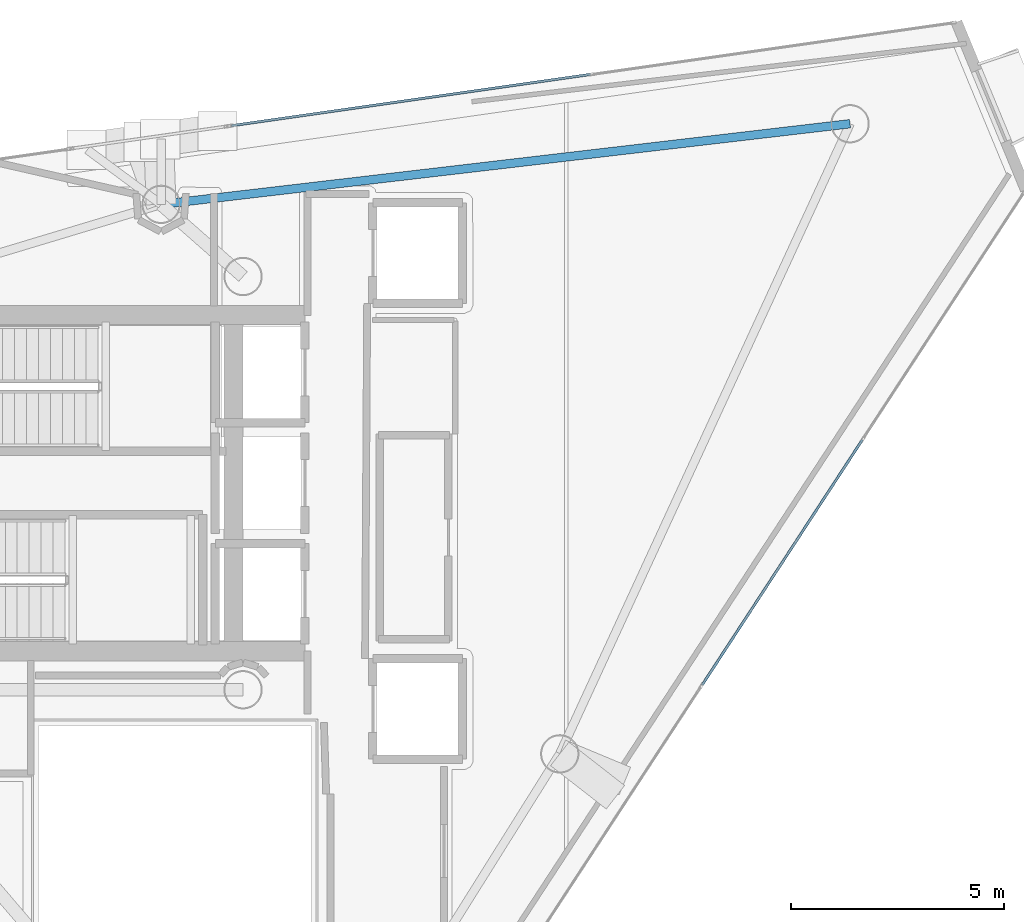
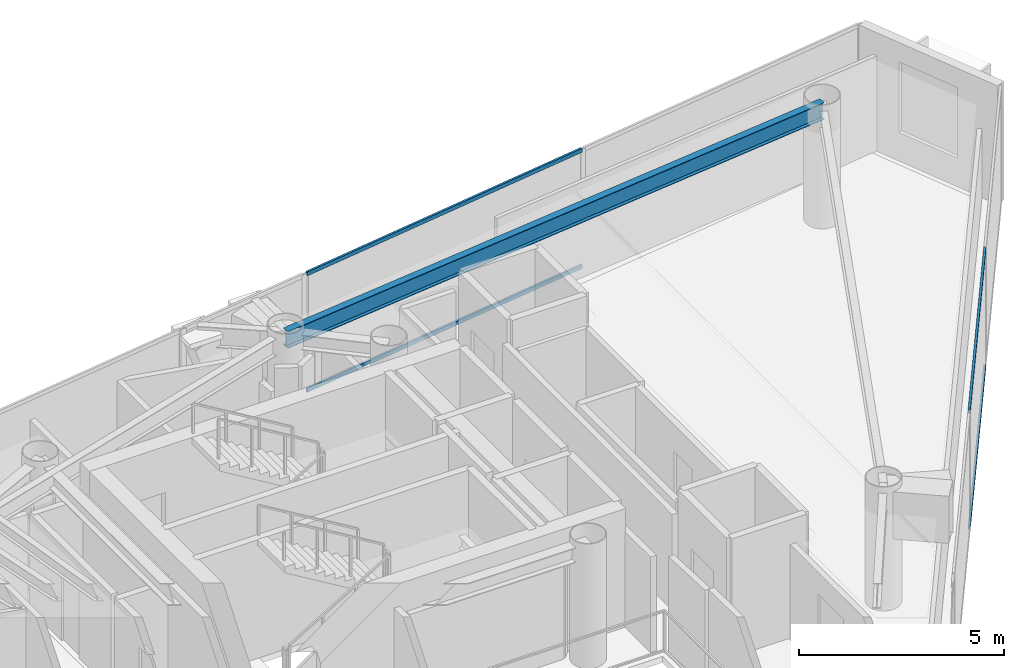
# One storey, part 17 of 25: 4 members, 1 beam, 2 elements without a shape of their own.
"""IFC4 building model written with IfcOpenShell, lengths in metres."""

from ifc_helpers import new_model, si_unit, direction, frame, origin, origin_2d, place, context, subcontext, project, spatial, hollow_rectangle, i_section, extrude, material, layer, layer_set, material_profile, profile_set, type_object, element, aggregate, save


model = new_model("IFC4")

# Units and contexts
model_context = context("Model", 3, precision=1e-05, world=origin(), true_north=direction((0.0, 1.0)))
body_context = subcontext(model_context, "Body", "Model", "MODEL_VIEW")
ifc_project = project(units=[si_unit("LENGTHUNIT", "METRE"), si_unit("AREAUNIT", "SQUARE_METRE"), si_unit("VOLUMEUNIT", "CUBIC_METRE"), si_unit("PLANEANGLEUNIT", "RADIAN"), si_unit("MASSUNIT", "GRAM", prefix="KILO")], contexts=[model_context])

# Site, building, storey
site_placement = place(None, origin())
site = spatial("IfcSite", under=ifc_project, at=site_placement, CompositionType="ELEMENT")
building_placement = place(site_placement, origin())
building = spatial("IfcBuilding", under=site, at=building_placement, Name="Qianvela Tower", CompositionType="ELEMENT")
storey_placement = place(building_placement, frame((0.0, 0.0, 295.39990234375)))
storey = spatial("IfcBuildingStorey", under=building, at=storey_placement, Name="L76", CompositionType="ELEMENT", Elevation=295.39990234375)

# Beam
ifc_material_1 = material(Name="Steel Q355B", Category="steel")
ifc_material_profile_1 = material_profile(ifc_material_1, i_section(OverallWidth=0.199951171875, OverallDepth=0.5, WebThickness=0.010009765625, FlangeThickness=0.01611328125, at=origin_2d()), Name="HN500x200x10x16")
ifc_profile_set_1 = profile_set([ifc_material_profile_1], Name="Steel Q355B")
beam_type = type_object("IfcBeamType", Name="BM-HN500-GIRD", PredefinedType="BEAM", material=ifc_profile_set_1)
beam_placement = place(storey_placement, frame((52.64794921875, 37.135009765625, 3.26806640625), z_axis=(-0.993225117092, -0.116206139153, 0.0), x_axis=(0.116206139153, -0.993225117092, 0.0)))
element("IfcBeam", 1, at=beam_placement, inside=storey, type_object=beam_type, Name="L76 Perimeter Ring Spandrel Girder 1", PredefinedType="BEAM", context=body_context, shape_type="SweptSolid", body=[
    extrude(i_section(OverallWidth=0.199951171875, OverallDepth=0.5, WebThickness=0.010009765625, FlangeThickness=0.01611328125, at=origin_2d()), origin(), (0.0, 0.0, 1.0), 16.2822265625),
])

# Curtain wall, members
ifc_material_2 = material(Name="Anodised Architectural Aluminium and Low-E Glass", Category="aluminium")
ifc_layer = layer(ifc_material_2, 0.14990234375)
ifc_layer_set = layer_set([ifc_layer], Name="Anodised Architectural Aluminium and Low-E Glass")
curtain_wall_type = type_object("IfcCurtainWallType", Name="CW-COLIV-Z78", PredefinedType="USERDEFINED", material=ifc_layer_set)
curtain_wall_1_placement = place(storey_placement, origin())
curtain_wall_1 = element("IfcCurtainWall", 2, at=curtain_wall_1_placement, inside=storey, type_object=curtain_wall_type, Name="L76 CW-COLIV-Z78 Curtain Wall 02A", ObjectType="CURTAIN_WALL_SYSTEM", PredefinedType="USERDEFINED")
ifc_material_3 = material(Name="Anodised Architectural Aluminium 6063-T6", Category="aluminium")
ifc_material_profile_2 = material_profile(ifc_material_3, hollow_rectangle(XDim=0.06005859375, YDim=0.114990234375, WallThickness=0.00390625, at=origin_2d()), Name="ALU-TRAN-60x115")
ifc_profile_set_2 = profile_set([ifc_material_profile_2], Name="Anodised Architectural Aluminium 6063-T6")
member_type = type_object("IfcMemberType", Name="CW-COLIV-Z78-TRAN", PredefinedType="USERDEFINED", material=ifc_profile_set_2)
member_1_placement = place(storey_placement, frame((46.555419921875, 38.293212890625, 0.030029296875), z_axis=(-0.989955804156, -0.141377175729, 0.0), x_axis=(0.141377175729, -0.989955804156, 0.0)))
member_1 = element("IfcMember", 3, at=member_1_placement, type_object=member_type, Name="CW-6 transom 2.1", ObjectType="TRANSOM", PredefinedType="USERDEFINED", context=body_context, shape_type="SweptSolid", body=[
    extrude(hollow_rectangle(XDim=0.06005859375, YDim=0.114990234375, WallThickness=0.00390625, at=origin_2d()), origin(), (0.0, 0.0, 1.0), 8.510009765625),
])
member_2_placement = place(storey_placement, frame((46.555419921875, 38.293212890625, 3.489990234375), z_axis=(-0.989955804156, -0.141377175729, 0.0), x_axis=(0.141377175729, -0.989955804156, 0.0)))
member_2 = element("IfcMember", 4, at=member_2_placement, type_object=member_type, Name="CW-6 transom 2.2", ObjectType="TRANSOM", PredefinedType="USERDEFINED", context=body_context, shape_type="SweptSolid", body=[
    extrude(hollow_rectangle(XDim=0.06005859375, YDim=0.114990234375, WallThickness=0.00390625, at=origin_2d()), origin(), (0.0, 0.0, 1.0), 8.510009765625),
])
aggregate(curtain_wall_1, [member_1, member_2])

curtain_wall_2_placement = place(storey_placement, origin())
curtain_wall_2 = element("IfcCurtainWall", 5, at=curtain_wall_2_placement, inside=storey, type_object=curtain_wall_type, Name="L76 CW-COLIV-Z78 Curtain Wall 06C", ObjectType="CURTAIN_WALL_SYSTEM", PredefinedType="USERDEFINED")
member_3_placement = place(storey_placement, frame((49.175048828125, 23.958984375, 0.030029296875), z_axis=(0.547072351003, 0.837085325859, 0.0), x_axis=(-0.837085325859, 0.547072351003, 0.0)))
member_3 = element("IfcMember", 6, at=member_3_placement, type_object=member_type, Name="CW-6 transom 3.1", ObjectType="TRANSOM", PredefinedType="USERDEFINED", context=body_context, shape_type="SweptSolid", body=[
    extrude(hollow_rectangle(XDim=0.06005859375, YDim=0.114990234375, WallThickness=0.00390625, at=origin_2d()), origin(), (0.0, 0.0, 1.0), 6.875244140625),
])
member_4_placement = place(storey_placement, frame((49.175048828125, 23.958984375, 3.489990234375), z_axis=(0.547072351003, 0.837085325859, 0.0), x_axis=(-0.837085325859, 0.547072351003, 0.0)))
member_4 = element("IfcMember", 7, at=member_4_placement, type_object=member_type, Name="CW-6 transom 3.2", ObjectType="TRANSOM", PredefinedType="USERDEFINED", context=body_context, shape_type="SweptSolid", body=[
    extrude(hollow_rectangle(XDim=0.06005859375, YDim=0.114990234375, WallThickness=0.00390625, at=origin_2d()), origin(), (0.0, 0.0, 1.0), 6.875244140625),
])
aggregate(curtain_wall_2, [member_3, member_4])

save(model, "model.ifc")
